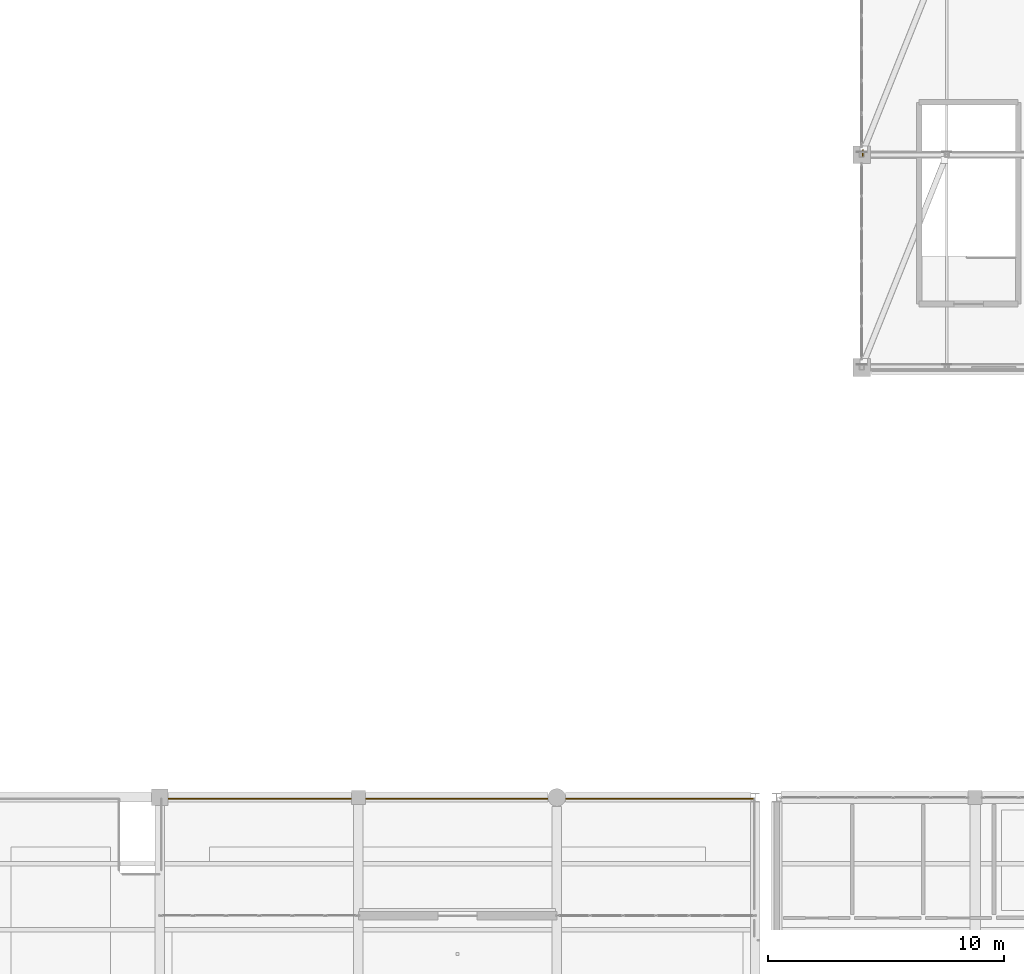
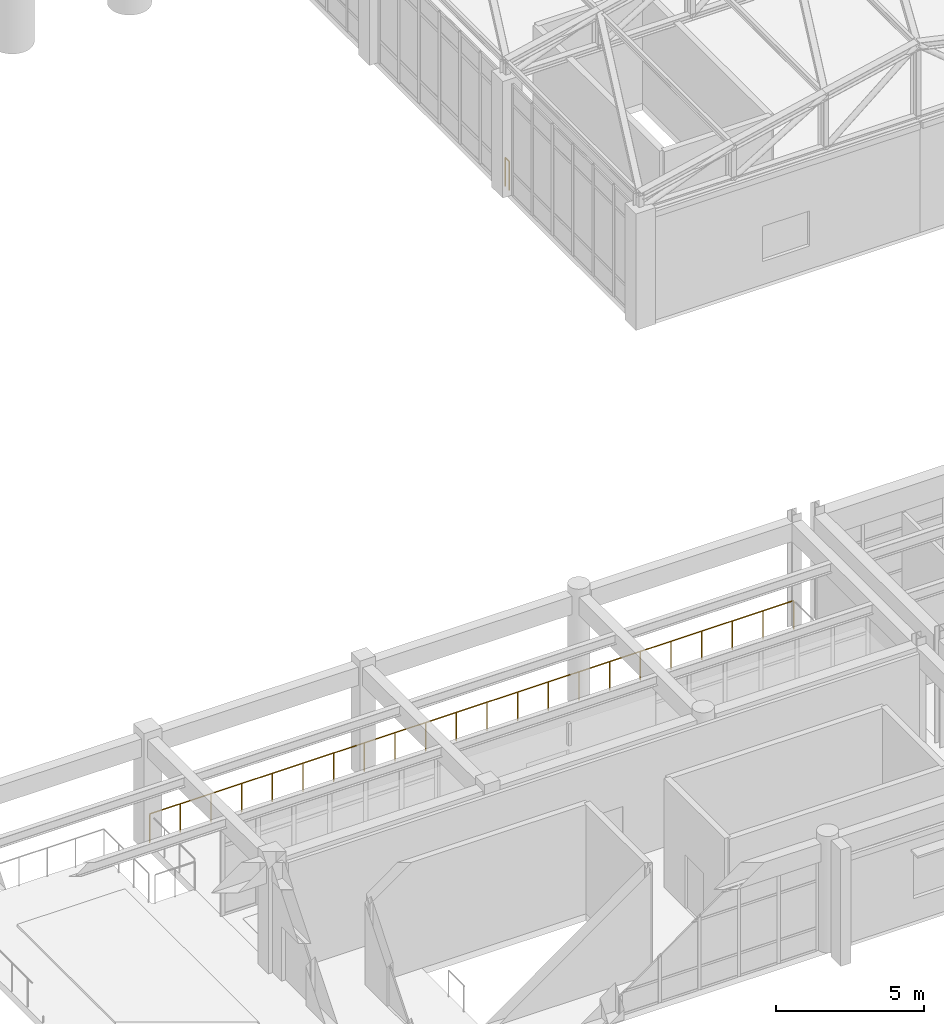
# One storey, part 123 of 139: 2 railings.
"""IFC4 building model written with IfcOpenShell, lengths in metres."""

import ifcopenshell
import ifcopenshell.guid

model = None  # the IFC model being written
_history = None  # IfcOwnerHistory: only IFC2X3 demands one
_inside = {}  # id of a spatial element -> (the spatial element, [elements in it])
_under = {}  # id of a project, library or spatial element -> (it, [spatial elements below it])
_declared = {}  # id of a project -> (the project, [libraries it declares])
_typed = {}  # id of a type object -> (the type object, [elements of that type])
_made_of = {}  # id of a material, layer set ... -> (it, [elements and type objects made of it])


def new_model(schema):
    """Start an empty IFC model of exactly this schema.

    Asked for "IFC4X3", IfcOpenShell would pick the latest addendum, in which some entities
    have other attributes; the version numbers below select the first issue.
    IFC2X3 requires an IfcOwnerHistory on every rooted entity: one is made here for all.
    """
    global model, _history
    if schema == "IFC4X3":
        model = ifcopenshell.file(schema_version=(4, 3, 0, 0))
    else:
        model = ifcopenshell.file(schema=schema)
    _inside.clear()
    _under.clear()
    _declared.clear()
    _typed.clear()
    _made_of.clear()
    _history = None
    if model.schema == "IFC2X3":
        org = make("IfcOrganization", Name="unknown")
        user = make(
            "IfcPersonAndOrganization",
            ThePerson=make("IfcPerson", FamilyName="unknown"),
            TheOrganization=org,
        )
        app = make(
            "IfcApplication",
            ApplicationDeveloper=org,
            Version="unknown",
            ApplicationFullName="unknown",
            ApplicationIdentifier="unknown",
        )
        _history = make(
            "IfcOwnerHistory",
            OwningUser=user,
            OwningApplication=app,
            ChangeAction="ADDED",
            CreationDate=0,
        )
    return model


def make(cls, **values):
    """One entity of the class cls with the attributes given. An attribute that is None is left unset."""
    return model.create_entity(
        cls, **{name: value for name, value in values.items() if value is not None}
    )


def rooted(cls, **values):
    """An entity with a GlobalId (a new one), such as an element, a storey or a relation."""
    return make(cls, GlobalId=ifcopenshell.guid.new(), OwnerHistory=_history, **values)


def si_unit(unit_type, name, prefix=None):
    """IfcSIUnit, for example si_unit("LENGTHUNIT", "METRE", prefix="MILLI")."""
    return make("IfcSIUnit", UnitType=unit_type, Prefix=prefix, Name=name)


def assignment(units):
    """IfcUnitAssignment: the units of a project."""
    return None if units is None else make("IfcUnitAssignment", Units=units)


def point(xyz):
    """IfcCartesianPoint."""
    return None if xyz is None else make("IfcCartesianPoint", Coordinates=xyz)


def direction(xyz):
    """IfcDirection."""
    return None if xyz is None else make("IfcDirection", DirectionRatios=xyz)


def frame(location, z_axis=None, x_axis=None):
    """IfcAxis2Placement3D, a coordinate frame: its origin and axes. An axis left out is left unset."""
    return make(
        "IfcAxis2Placement3D",
        Location=point(location),
        Axis=direction(z_axis),
        RefDirection=direction(x_axis),
    )


def frame_2d(location, x_axis=None):
    """IfcAxis2Placement2D, a coordinate frame in the plane: its origin and x axis."""
    return make(
        "IfcAxis2Placement2D", Location=point(location), RefDirection=direction(x_axis)
    )


def origin():
    """The frame at (0, 0, 0) with its axes left unset."""
    return frame((0.0, 0.0, 0.0))


def origin_2d():
    """The frame at (0, 0) in the plane with its x axis left unset."""
    return frame_2d((0.0, 0.0))


def place(relative_to, where):
    """IfcLocalPlacement: puts the frame where relative to a parent placement (None: the world)."""
    return make(
        "IfcLocalPlacement", PlacementRelTo=relative_to, RelativePlacement=where
    )


def context(
    kind, dimensions, precision=None, world=None, true_north=None, identifier=None
):
    """IfcGeometricRepresentationContext, for example the 3D "Model" context."""
    return make(
        "IfcGeometricRepresentationContext",
        ContextIdentifier=identifier,
        ContextType=kind,
        CoordinateSpaceDimension=dimensions,
        Precision=precision,
        WorldCoordinateSystem=world,
        TrueNorth=true_north,
    )


def subcontext(parent, identifier, kind, view, scale=None):
    """IfcGeometricRepresentationSubContext, for example "Body" below "Model"."""
    return make(
        "IfcGeometricRepresentationSubContext",
        ContextIdentifier=identifier,
        ContextType=kind,
        ParentContext=parent,
        TargetScale=scale,
        TargetView=view,
    )


def project(units=None, contexts=None):
    """IfcProject with its units and contexts."""
    return rooted(
        "IfcProject",
        Name="project",
        RepresentationContexts=contexts,
        UnitsInContext=assignment(units),
    )


def spatial(cls, under=None, at=None, **own):
    """A site, building, storey or space (cls), placed at a placement, below another one or the project."""
    s = rooted(cls, ObjectPlacement=at, **own)
    if under is not None:
        _under.setdefault(under.id(), (under, []))[1].append(s)
    return s


def profile(cls, at=None, kind="AREA", **sizes):
    """A parametric profile (cls). Its sizes go by their IFC names, for example OverallWidth=200.0."""
    return make(cls, ProfileType=kind, Position=at, **sizes)


def circle(**sizes):
    """IfcCircleProfileDef."""
    return profile("IfcCircleProfileDef", **sizes)


def extrude(swept, where, along, depth):
    """IfcExtrudedAreaSolid: the profile swept, set in the frame where, extruded along a direction by depth."""
    return make(
        "IfcExtrudedAreaSolid",
        SweptArea=swept,
        Position=where,
        ExtrudedDirection=direction(along),
        Depth=depth,
    )


def shape(context_of_items, identifier, shape_type, items):
    """IfcShapeRepresentation: the items that make up one representation, for example the "Body"."""
    return make(
        "IfcShapeRepresentation",
        ContextOfItems=context_of_items,
        RepresentationIdentifier=identifier,
        RepresentationType=shape_type,
        Items=items,
    )


def material(Name=None, Category=None):
    """IfcMaterial."""
    return make("IfcMaterial", Name=Name, Category=Category)


def made_of(thing, what):
    """Note that an element or type object is made of a material, layer set ...; save() writes the relation."""
    if what is not None:
        _made_of.setdefault(what.id(), (what, []))[1].append(thing)
    return thing


def type_object(cls, material=None, **own):
    """A type object (cls), such as IfcWallType, which elements share."""
    return made_of(rooted(cls, **own), material)


def element(
    cls,
    number,
    at=None,
    inside=None,
    cuts=None,
    type_object=None,
    material=None,
    context=None,
    identifier="Body",
    shape_type=None,
    held_by="IfcProductDefinitionShape",
    body=None,
    shapes=None,
    **own,
):
    """One element of the class cls, such as IfcWall. Its Tag is "e" and its number.

    at: its placement. inside: the storey or other place that contains it. cuts: it is an
    opening in that element (IfcRelVoidsElement). A single representation is given by context,
    identifier, shape_type and body (its items); several are given by shapes. held_by: the class
    of the entity that holds the representations. save() writes the other relations.
    """
    e = rooted(cls, Tag="e%d" % number, ObjectPlacement=at, **own)
    if body is not None:
        shapes = [shape(context, identifier, shape_type, body)]
    if shapes is not None:
        e.Representation = make(held_by, Representations=shapes)
    if inside is not None:
        _inside.setdefault(inside.id(), (inside, []))[1].append(e)
    if cuts is not None:
        rooted(
            "IfcRelVoidsElement", RelatingBuildingElement=cuts, RelatedOpeningElement=e
        )
    if type_object is not None:
        _typed.setdefault(type_object.id(), (type_object, []))[1].append(e)
    return made_of(e, material)


def aggregate(whole, parts):
    """IfcRelAggregates: a whole, such as a stair, and the parts it consists of."""
    return rooted("IfcRelAggregates", RelatingObject=whole, RelatedObjects=parts)


def save(model, path):
    """Write the relations noted so far, then the file.

    IfcRelAggregates (storeys below a building ...), IfcRelContainedInSpatialStructure (elements
    in a storey), IfcRelDefinesByType, IfcRelAssociatesMaterial and IfcRelDeclares: one each for
    every whole, place, type object, material and project.
    """
    for whole, parts in _under.values():
        aggregate(whole, parts)
    for where, things in _inside.values():
        rooted(
            "IfcRelContainedInSpatialStructure",
            RelatedElements=things,
            RelatingStructure=where,
        )
    for kind, things in _typed.values():
        rooted("IfcRelDefinesByType", RelatedObjects=things, RelatingType=kind)
    for what, things in _made_of.values():
        rooted("IfcRelAssociatesMaterial", RelatedObjects=things, RelatingMaterial=what)
    for by, libraries in _declared.values():
        rooted("IfcRelDeclares", RelatingContext=by, RelatedDefinitions=libraries)
    model.write(path)


model = new_model("IFC4")

# Units and contexts
model_context = context("Model", 3, precision=1e-05, world=origin(), true_north=direction((0.0, 1.0)))
body_context = subcontext(model_context, "Body", "Model", "MODEL_VIEW")
ifc_project = project(units=[si_unit("LENGTHUNIT", "METRE"), si_unit("AREAUNIT", "SQUARE_METRE"), si_unit("VOLUMEUNIT", "CUBIC_METRE"), si_unit("PLANEANGLEUNIT", "RADIAN"), si_unit("MASSUNIT", "GRAM", prefix="KILO")], contexts=[model_context])

# Site, building, storey
site_placement = place(None, origin())
site = spatial("IfcSite", under=ifc_project, at=site_placement, CompositionType="ELEMENT")
building_placement = place(site_placement, origin())
building = spatial("IfcBuilding", under=site, at=building_placement, Name="Canglan Escarpment Cableway Terminal", CompositionType="ELEMENT")
storey_placement = place(building_placement, frame((0.0, 0.0, 14.39990234375)))
storey = spatial("IfcBuildingStorey", under=building, at=storey_placement, Name="L03", CompositionType="ELEMENT", Elevation=14.39990234375)

# Railings
ifc_material = material(Name="Carved limestone and anodized bronze balustrade", Category="masonry")
railing_type = type_object("IfcRailingType", Name="RL-EXT-BALUSTRADE-1200", PredefinedType="BALUSTRADE", material=ifc_material)
railing_1_placement = place(storey_placement, frame((85.449951171875, 24.748046875, 0.0)))
element("IfcRailing", 1, at=railing_1_placement, inside=storey, type_object=railing_type, Name="Classical terrace balustrade guard GD-01 (L03)", PredefinedType="BALUSTRADE", context=body_context, shape_type="SweptSolid", body=[
    extrude(circle(Radius=0.02392578125, at=origin_2d()), frame((0.0, 0.0, 1.17578125), z_axis=(0.999999996972, 7.7819497e-05, 0.0), x_axis=(-7.7819497e-05, 0.999999996972, 0.0)), (0.0, 0.0, 1.0), 25.09814453125),
    extrude(circle(Radius=0.02099609375, at=origin_2d()), origin(), (0.0, 0.0, 1.0), 1.15185546875),
    extrude(circle(Radius=0.02099609375, at=origin_2d()), frame((1.195068359375, 0.0, 0.0)), (0.0, 0.0, 1.0), 1.15185546875),
    extrude(circle(Radius=0.02099609375, at=origin_2d()), frame((2.390380859375, 0.000244140625, 0.0)), (0.0, 0.0, 1.0), 1.15185546875),
    extrude(circle(Radius=0.02099609375, at=origin_2d()), frame((3.58544921875, 0.000244140625, 0.0)), (0.0, 0.0, 1.0), 1.15185546875),
    extrude(circle(Radius=0.02099609375, at=origin_2d()), frame((4.780517578125, 0.00048828125, 0.0)), (0.0, 0.0, 1.0), 1.15185546875),
    extrude(circle(Radius=0.02099609375, at=origin_2d()), frame((5.975830078125, 0.00048828125, 0.0)), (0.0, 0.0, 1.0), 1.15185546875),
    extrude(circle(Radius=0.02099609375, at=origin_2d()), frame((7.1708984375, 0.00048828125, 0.0)), (0.0, 0.0, 1.0), 1.15185546875),
    extrude(circle(Radius=0.02099609375, at=origin_2d()), frame((8.365966796875, 0.000732421875, 0.0)), (0.0, 0.0, 1.0), 1.15185546875),
    extrude(circle(Radius=0.02099609375, at=origin_2d()), frame((9.561279296875, 0.000732421875, 0.0)), (0.0, 0.0, 1.0), 1.15185546875),
    extrude(circle(Radius=0.02099609375, at=origin_2d()), frame((10.75634765625, 0.000732421875, 0.0)), (0.0, 0.0, 1.0), 1.15185546875),
    extrude(circle(Radius=0.02099609375, at=origin_2d()), frame((11.951416015625, 0.0009765625, 0.0)), (0.0, 0.0, 1.0), 1.15185546875),
    extrude(circle(Radius=0.02099609375, at=origin_2d()), frame((13.146728515625, 0.0009765625, 0.0)), (0.0, 0.0, 1.0), 1.15185546875),
    extrude(circle(Radius=0.02099609375, at=origin_2d()), frame((14.341796875, 0.001220703125, 0.0)), (0.0, 0.0, 1.0), 1.15185546875),
    extrude(circle(Radius=0.02099609375, at=origin_2d()), frame((15.536865234375, 0.001220703125, 0.0)), (0.0, 0.0, 1.0), 1.15185546875),
    extrude(circle(Radius=0.02099609375, at=origin_2d()), frame((16.732177734375, 0.001220703125, 0.0)), (0.0, 0.0, 1.0), 1.15185546875),
    extrude(circle(Radius=0.02099609375, at=origin_2d()), frame((17.92724609375, 0.00146484375, 0.0)), (0.0, 0.0, 1.0), 1.15185546875),
    extrude(circle(Radius=0.02099609375, at=origin_2d()), frame((19.122314453125, 0.00146484375, 0.0)), (0.0, 0.0, 1.0), 1.15185546875),
    extrude(circle(Radius=0.02099609375, at=origin_2d()), frame((20.317626953125, 0.00146484375, 0.0)), (0.0, 0.0, 1.0), 1.15185546875),
    extrude(circle(Radius=0.02099609375, at=origin_2d()), frame((21.5126953125, 0.001708984375, 0.0)), (0.0, 0.0, 1.0), 1.15185546875),
    extrude(circle(Radius=0.02099609375, at=origin_2d()), frame((22.707763671875, 0.001708984375, 0.0)), (0.0, 0.0, 1.0), 1.15185546875),
    extrude(circle(Radius=0.02099609375, at=origin_2d()), frame((23.903076171875, 0.001953125, 0.0)), (0.0, 0.0, 1.0), 1.15185546875),
    extrude(circle(Radius=0.02099609375, at=origin_2d()), frame((25.09814453125, 0.001953125, 0.0)), (0.0, 0.0, 1.0), 1.15185546875),
])
railing_2_placement = place(storey_placement, frame((115.14990234375, 51.9150390625, 0.0)))
element("IfcRailing", 2, at=railing_2_placement, inside=storey, type_object=railing_type, Name="Classical terrace balustrade guard GD-01 (L03)", PredefinedType="BALUSTRADE", context=body_context, shape_type="SweptSolid", body=[
    extrude(circle(Radius=0.02392578125, at=origin_2d()), frame((0.0, 0.0, 1.17578125), z_axis=(0.0, 1.0, 0.0), x_axis=(-1.0, 0.0, 0.0)), (0.0, 0.0, 1.0), 0.27001953125),
    extrude(circle(Radius=0.02099609375, at=origin_2d()), origin(), (0.0, 0.0, 1.0), 1.15185546875),
    extrude(circle(Radius=0.02099609375, at=origin_2d()), frame((0.0, 0.27001953125, 0.0)), (0.0, 0.0, 1.0), 1.15185546875),
])

save(model, "model.ifc")
